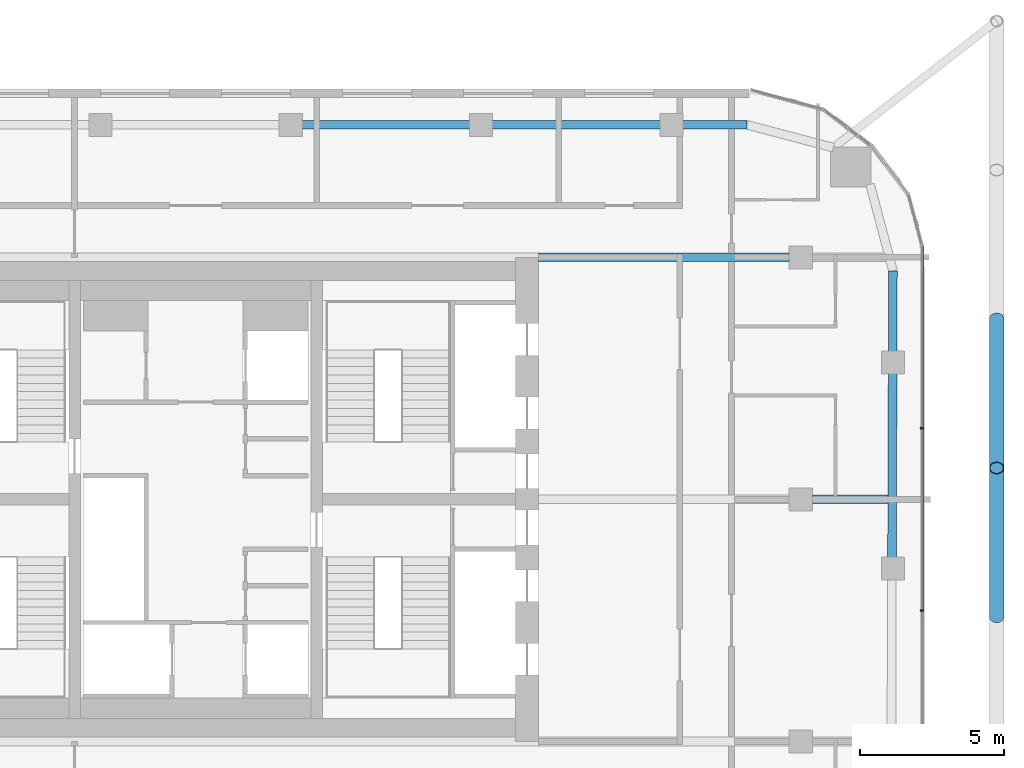
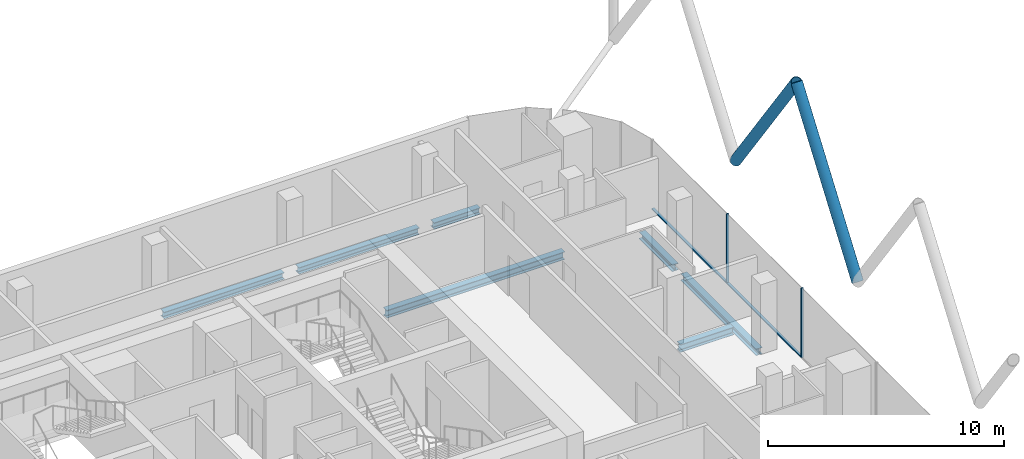
# One storey, part 10 of 28: 7 beams, 6 members, 1 element without a shape of its own.
"""IFC4 building model written with IfcOpenShell, lengths in metres."""

from ifc_helpers import new_model, si_unit, direction, frame, origin, origin_2d, place, context, subcontext, project, spatial, rectangle, hollow_circle, i_section, extrude, material, layer, layer_set, material_profile, profile_set, type_object, element, aggregate, save


model = new_model("IFC4")

# Units and contexts
model_context = context("Model", 3, precision=1e-05, world=origin(), true_north=direction((0.0, 1.0)))
body_context = subcontext(model_context, "Body", "Model", "MODEL_VIEW")
ifc_project = project(units=[si_unit("LENGTHUNIT", "METRE"), si_unit("AREAUNIT", "SQUARE_METRE"), si_unit("VOLUMEUNIT", "CUBIC_METRE"), si_unit("PLANEANGLEUNIT", "RADIAN"), si_unit("MASSUNIT", "GRAM", prefix="KILO")], contexts=[model_context])

# Site, building, storey
site_placement = place(None, origin())
site = spatial("IfcSite", under=ifc_project, at=site_placement, CompositionType="ELEMENT")
building_placement = place(site_placement, origin())
building = spatial("IfcBuilding", under=site, at=building_placement, Name="Marenta Gate Hotel Tower", CompositionType="ELEMENT")
storey_placement = place(building_placement, frame((0.0, 0.0, 227.300048828125)))
storey = spatial("IfcBuildingStorey", under=building, at=storey_placement, Name="L53", CompositionType="ELEMENT", Elevation=227.300048828125)

# Members
ifc_material_1 = material(Name="Steel S355J2W", Category="steel")
ifc_material_profile_1 = material_profile(ifc_material_1, hollow_circle(Radius=0.25390625, WallThickness=0.02490234375, at=origin_2d()), Name="CHS 508x25")
ifc_profile_set_1 = profile_set([ifc_material_profile_1], Name="Steel S355J2W")
member_type_1 = type_object("IfcMemberType", Name="Diagrid diagonal Z3 CHS 508x25", PredefinedType="BRACE", material=ifc_profile_set_1)
member_1_placement = place(storey_placement, frame((27.800048828125, 14.659912109375, 3.139892578125), z_axis=(0.0, -0.583260841117, 0.812284919975), x_axis=(1.0, 0.0, 0.0)))
element("IfcMember", 1, at=member_1_placement, inside=storey, type_object=member_type_1, Name="L53-DG-3", PredefinedType="BRACE", context=body_context, shape_type="SweptSolid", body=[
    extrude(hollow_circle(Radius=0.25390625, WallThickness=0.02490234375, at=origin_2d()), origin(), (0.0, 0.0, 1.0), 8.86376953125),
])
member_2_placement = place(storey_placement, frame((27.800048828125, 4.31982421875, 3.139892578125), z_axis=(0.0, 0.583279014058, 0.812271870595), x_axis=(-1.0, 0.0, 0.0)))
element("IfcMember", 2, at=member_2_placement, inside=storey, type_object=member_type_1, Name="L53-DG-4", PredefinedType="BRACE", context=body_context, shape_type="SweptSolid", body=[
    extrude(hollow_circle(Radius=0.25390625, WallThickness=0.02490234375, at=origin_2d()), origin(), (0.0, 0.0, 1.0), 8.864013671875),
])

# Beams
ifc_material_2 = material(Name="Steel S355", Category="steel")
ifc_material_profile_2 = material_profile(ifc_material_2, i_section(OverallWidth=0.300048828125, OverallDepth=0.340087890625, WebThickness=0.011962890625, FlangeThickness=0.021484375, FilletRadius=0.027099609375, at=origin_2d()), Name="HEB 340")
ifc_profile_set_2 = profile_set([ifc_material_profile_2], Name="Steel S355")
beam_type_1 = type_object("IfcBeamType", Name="Edge beam HEB 340", PredefinedType="SPANDREL", material=ifc_profile_set_2)
for number, where, z_axis, x_axis, name in (
    (3, (3.661376953125, 21.39990234375, -0.429931640625), (1.0, 0.0, 0.0), (0.0, 1.0, 0.0), "L53-EB-17"),
    (4, (10.26416015625, 21.39990234375, -0.429931640625), (1.0, 0.0, 0.0), (0.0, 1.0, 0.0), "L53-EB-18"),
):
    element("IfcBeam", number, at=place(storey_placement, frame(where, z_axis=z_axis, x_axis=x_axis)), inside=storey, type_object=beam_type_1, Name=name, PredefinedType="SPANDREL", context=body_context, shape_type="SweptSolid", body=[
        extrude(i_section(OverallWidth=0.300048828125, OverallDepth=0.340087890625, WebThickness=0.011962890625, FlangeThickness=0.021484375, FilletRadius=0.027099609375, at=origin_2d()), origin(), (0.0, 0.0, 1.0), 5.8828125),
    ])
beam_1_placement = place(storey_placement, frame((16.866943359375, 21.39990234375, -0.429931640625), z_axis=(1.0, 0.0, 0.0), x_axis=(0.0, 1.0, 0.0)))
element("IfcBeam", 5, at=beam_1_placement, inside=storey, type_object=beam_type_1, Name="L53-EB-19", PredefinedType="SPANDREL", context=body_context, shape_type="SweptSolid", body=[
    extrude(i_section(OverallWidth=0.300048828125, OverallDepth=0.340087890625, WebThickness=0.011962890625, FlangeThickness=0.021484375, FilletRadius=0.027099609375, at=origin_2d()), origin(), (0.0, 0.0, 1.0), 2.267578125),
])
beam_2_placement = place(storey_placement, frame((24.199951171875, 16.33447265625, -0.429931640625), z_axis=(-0.003292020626, -0.999994581285, 0.0), x_axis=(0.999994581285, -0.003292020626, 0.0)))
element("IfcBeam", 6, at=beam_2_placement, inside=storey, type_object=beam_type_1, Name="L53-EB-22", PredefinedType="SPANDREL", context=body_context, shape_type="SweptSolid", body=[
    extrude(i_section(OverallWidth=0.300048828125, OverallDepth=0.340087890625, WebThickness=0.011962890625, FlangeThickness=0.021484375, FilletRadius=0.027099609375, at=origin_2d()), origin(), (0.0, 0.0, 1.0), 2.818115234375),
])
beam_3_placement = place(storey_placement, frame((24.188232421875, 12.79638671875, -0.429931640625), z_axis=(-0.00333963982, -0.999994423387, 0.0), x_axis=(0.999994423387, -0.00333963982, 0.0)))
element("IfcBeam", 7, at=beam_3_placement, inside=storey, type_object=beam_type_1, Name="L53-EB-23", PredefinedType="SPANDREL", context=body_context, shape_type="SweptSolid", body=[
    extrude(i_section(OverallWidth=0.300048828125, OverallDepth=0.340087890625, WebThickness=0.011962890625, FlangeThickness=0.021484375, FilletRadius=0.027099609375, at=origin_2d()), origin(), (0.0, 0.0, 1.0), 6.43310546875),
])
ifc_material_3 = material(Name="Steel S355", Category="steel")
ifc_material_profile_3 = material_profile(ifc_material_3, i_section(OverallWidth=0.300048828125, OverallDepth=0.39990234375, WebThickness=0.013427734375, FlangeThickness=0.02392578125, FilletRadius=0.027099609375, at=origin_2d()), Name="HEB 400")
ifc_profile_set_3 = profile_set([ifc_material_profile_3], Name="Steel S355")
beam_type_2 = type_object("IfcBeamType", Name="Girder HEB 400", PredefinedType="BEAM", material=ifc_profile_set_3)
beam_4_placement = place(storey_placement, frame((21.39990234375, 8.39990234375, -0.4599609375), z_axis=(1.0, 0.0, 0.0), x_axis=(0.0, 1.0, 0.0)))
element("IfcBeam", 8, at=beam_4_placement, inside=storey, type_object=beam_type_2, Name="L53-GD-28", PredefinedType="BEAM", context=body_context, shape_type="SweptSolid", body=[
    extrude(i_section(OverallWidth=0.300048828125, OverallDepth=0.39990234375, WebThickness=0.013427734375, FlangeThickness=0.02392578125, FilletRadius=0.027099609375, at=origin_2d()), origin(), (0.0, 0.0, 1.0), 2.623779296875),
])
beam_5_placement = place(storey_placement, frame((11.89990234375, 16.800048828125, -0.4599609375), z_axis=(1.0, 0.0, 0.0), x_axis=(0.0, 1.0, 0.0)))
element("IfcBeam", 9, at=beam_5_placement, inside=storey, type_object=beam_type_2, Name="L53-GD-32", PredefinedType="BEAM", context=body_context, shape_type="SweptSolid", body=[
    extrude(i_section(OverallWidth=0.300048828125, OverallDepth=0.39990234375, WebThickness=0.013427734375, FlangeThickness=0.02392578125, FilletRadius=0.027099609375, at=origin_2d()), origin(), (0.0, 0.0, 1.0), 8.7001953125),
])

# Curtain wall, members
ifc_material_4 = material(Name="Tinted insulated glass in bronze anodised frame", Category="glass")
ifc_layer = layer(ifc_material_4, 0.1201171875)
ifc_layer_set = layer_set([ifc_layer], Name="Tinted insulated glass in bronze anodised frame")
curtain_wall_type = type_object("IfcCurtainWallType", Name="Tower unitised curtain wall CW1", PredefinedType="NOTDEFINED", material=ifc_layer_set)
curtain_wall_placement = place(storey_placement, origin())
curtain_wall = element("IfcCurtainWall", 10, at=curtain_wall_placement, inside=storey, type_object=curtain_wall_type, Name="CW1 run G19", PredefinedType="NOTDEFINED")
ifc_material_5 = material(Name="Bronze anodised aluminium", Category="aluminium")
ifc_material_profile_4 = material_profile(ifc_material_5, rectangle(XDim=0.1201171875, YDim=0.06005859375, at=origin_2d()), Name="Mullion CW1 60x120 bronze anodised aluminium")
ifc_profile_set_4 = profile_set([ifc_material_profile_4], Name="Bronze anodised aluminium")
member_type_2 = type_object("IfcMemberType", Name="Mullion CW1 60x120 bronze anodised aluminium", PredefinedType="MULLION", material=ifc_profile_set_4)
member_3_placement = place(storey_placement, frame((25.214111328125, 4.546630859375, 0.0), z_axis=(0.0, 0.0, 1.0), x_axis=(-1.0, 0.0, 0.0)))
member_3 = element("IfcMember", 11, at=member_3_placement, type_object=member_type_2, Name="CW1 mullion 5", PredefinedType="MULLION", context=body_context, shape_type="SweptSolid", body=[
    extrude(rectangle(XDim=0.1201171875, YDim=0.06005859375, at=origin_2d()), origin(), (0.0, 0.0, 1.0), 3.599853515625),
])
member_4_placement = place(storey_placement, frame((25.214111328125, 10.869384765625, 0.0), z_axis=(0.0, 0.0, 1.0), x_axis=(-1.0, 0.0, 0.0)))
member_4 = element("IfcMember", 12, at=member_4_placement, type_object=member_type_2, Name="CW1 mullion 6", PredefinedType="MULLION", context=body_context, shape_type="SweptSolid", body=[
    extrude(rectangle(XDim=0.1201171875, YDim=0.06005859375, at=origin_2d()), origin(), (0.0, 0.0, 1.0), 3.599853515625),
])
ifc_material_6 = material(Name="Bronze anodised aluminium", Category="aluminium")
ifc_material_profile_5 = material_profile(ifc_material_6, rectangle(XDim=0.1201171875, YDim=0.06005859375, at=origin_2d()), Name="Transom CW1 60x120 bronze anodised aluminium")
ifc_profile_set_5 = profile_set([ifc_material_profile_5], Name="Bronze anodised aluminium")
member_type_3 = type_object("IfcMemberType", Name="Transom CW1 60x120 bronze anodised aluminium", PredefinedType="USERDEFINED", material=ifc_profile_set_5)
member_5_placement = place(storey_placement, frame((25.214111328125, 4.57666015625, 0.030029296875), z_axis=(0.0, 1.0, 0.0), x_axis=(-1.0, 0.0, 0.0)))
member_5 = element("IfcMember", 13, at=member_5_placement, type_object=member_type_3, Name="CW1 transom 5.1", ObjectType="TRANSOM", PredefinedType="USERDEFINED", context=body_context, shape_type="SweptSolid", body=[
    extrude(rectangle(XDim=0.1201171875, YDim=0.06005859375, at=origin_2d()), origin(), (0.0, 0.0, 1.0), 6.2626953125),
])
member_6_placement = place(storey_placement, frame((25.214111328125, 10.899169921875, 0.030029296875), z_axis=(0.0, 1.0, 0.0), x_axis=(-1.0, 0.0, 0.0)))
member_6 = element("IfcMember", 14, at=member_6_placement, type_object=member_type_3, Name="CW1 transom 6.1", ObjectType="TRANSOM", PredefinedType="USERDEFINED", context=body_context, shape_type="SweptSolid", body=[
    extrude(rectangle(XDim=0.1201171875, YDim=0.06005859375, at=origin_2d()), origin(), (0.0, 0.0, 1.0), 6.292724609375),
])
aggregate(curtain_wall, [member_3, member_4, member_5, member_6])

save(model, "model.ifc")
